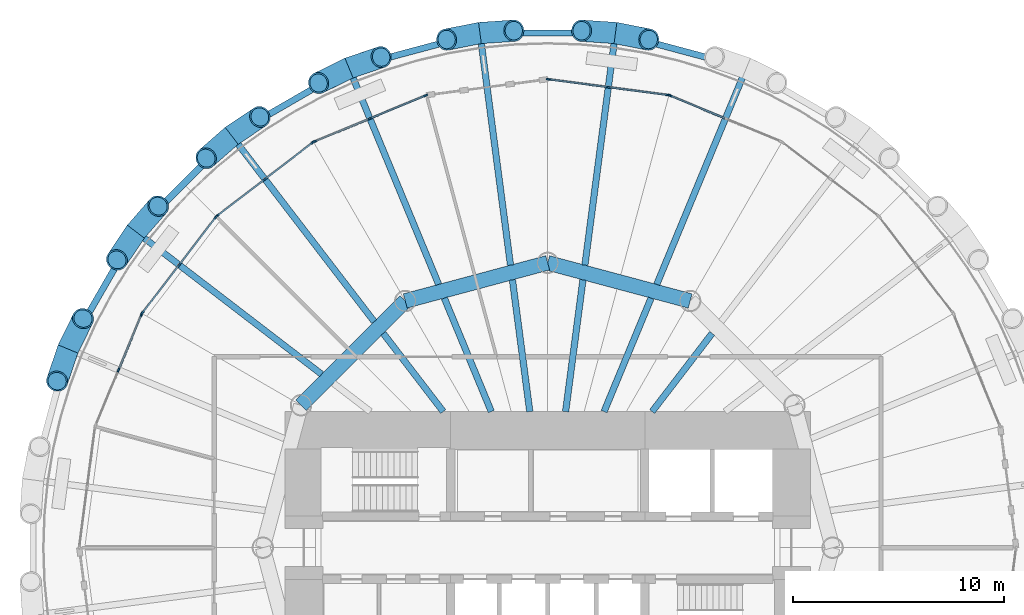
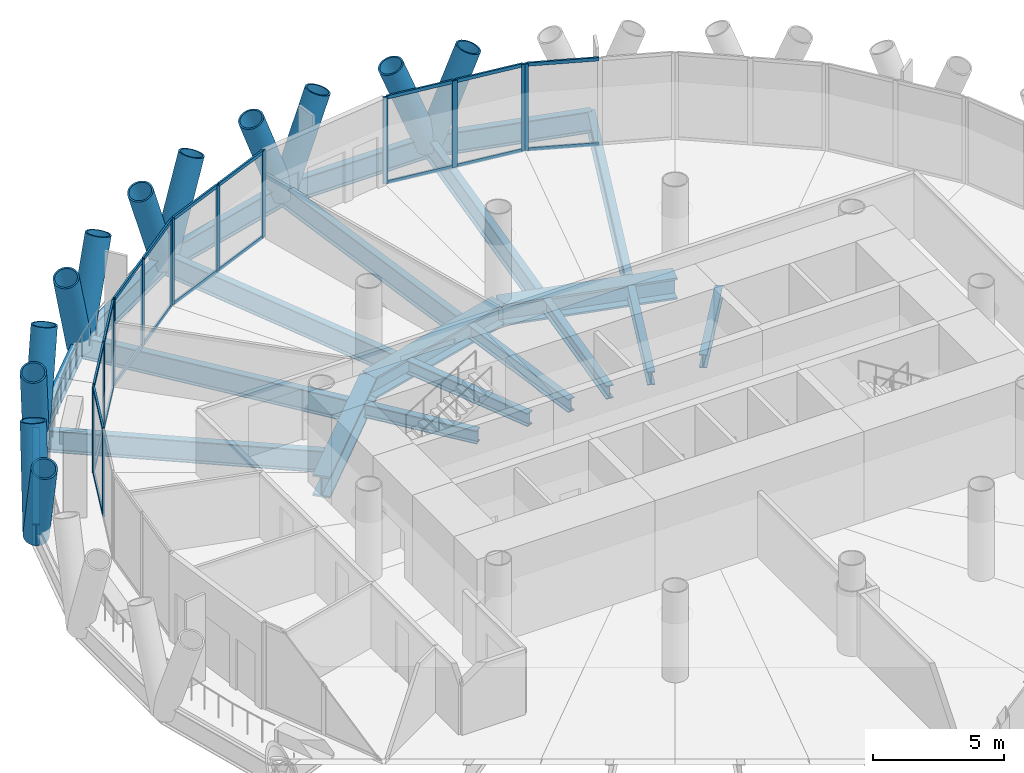
# One storey, part 5 of 14: 47 members, 21 beams, 6 elements without a shape of their own.
"""IFC4 building model written with IfcOpenShell, lengths in metres."""

import ifcopenshell
import ifcopenshell.guid

model = None  # the IFC model being written
_history = None  # IfcOwnerHistory: only IFC2X3 demands one
_inside = {}  # id of a spatial element -> (the spatial element, [elements in it])
_under = {}  # id of a project, library or spatial element -> (it, [spatial elements below it])
_declared = {}  # id of a project -> (the project, [libraries it declares])
_typed = {}  # id of a type object -> (the type object, [elements of that type])
_made_of = {}  # id of a material, layer set ... -> (it, [elements and type objects made of it])


def new_model(schema):
    """Start an empty IFC model of exactly this schema.

    Asked for "IFC4X3", IfcOpenShell would pick the latest addendum, in which some entities
    have other attributes; the version numbers below select the first issue.
    IFC2X3 requires an IfcOwnerHistory on every rooted entity: one is made here for all.
    """
    global model, _history
    if schema == "IFC4X3":
        model = ifcopenshell.file(schema_version=(4, 3, 0, 0))
    else:
        model = ifcopenshell.file(schema=schema)
    _inside.clear()
    _under.clear()
    _declared.clear()
    _typed.clear()
    _made_of.clear()
    _history = None
    if model.schema == "IFC2X3":
        org = make("IfcOrganization", Name="unknown")
        user = make(
            "IfcPersonAndOrganization",
            ThePerson=make("IfcPerson", FamilyName="unknown"),
            TheOrganization=org,
        )
        app = make(
            "IfcApplication",
            ApplicationDeveloper=org,
            Version="unknown",
            ApplicationFullName="unknown",
            ApplicationIdentifier="unknown",
        )
        _history = make(
            "IfcOwnerHistory",
            OwningUser=user,
            OwningApplication=app,
            ChangeAction="ADDED",
            CreationDate=0,
        )
    return model


def make(cls, **values):
    """One entity of the class cls with the attributes given. An attribute that is None is left unset."""
    return model.create_entity(
        cls, **{name: value for name, value in values.items() if value is not None}
    )


def rooted(cls, **values):
    """An entity with a GlobalId (a new one), such as an element, a storey or a relation."""
    return make(cls, GlobalId=ifcopenshell.guid.new(), OwnerHistory=_history, **values)


def si_unit(unit_type, name, prefix=None):
    """IfcSIUnit, for example si_unit("LENGTHUNIT", "METRE", prefix="MILLI")."""
    return make("IfcSIUnit", UnitType=unit_type, Prefix=prefix, Name=name)


def assignment(units):
    """IfcUnitAssignment: the units of a project."""
    return None if units is None else make("IfcUnitAssignment", Units=units)


def point(xyz):
    """IfcCartesianPoint."""
    return None if xyz is None else make("IfcCartesianPoint", Coordinates=xyz)


def direction(xyz):
    """IfcDirection."""
    return None if xyz is None else make("IfcDirection", DirectionRatios=xyz)


def frame(location, z_axis=None, x_axis=None):
    """IfcAxis2Placement3D, a coordinate frame: its origin and axes. An axis left out is left unset."""
    return make(
        "IfcAxis2Placement3D",
        Location=point(location),
        Axis=direction(z_axis),
        RefDirection=direction(x_axis),
    )


def frame_2d(location, x_axis=None):
    """IfcAxis2Placement2D, a coordinate frame in the plane: its origin and x axis."""
    return make(
        "IfcAxis2Placement2D", Location=point(location), RefDirection=direction(x_axis)
    )


def origin():
    """The frame at (0, 0, 0) with its axes left unset."""
    return frame((0.0, 0.0, 0.0))


def origin_2d():
    """The frame at (0, 0) in the plane with its x axis left unset."""
    return frame_2d((0.0, 0.0))


def place(relative_to, where):
    """IfcLocalPlacement: puts the frame where relative to a parent placement (None: the world)."""
    return make(
        "IfcLocalPlacement", PlacementRelTo=relative_to, RelativePlacement=where
    )


def context(
    kind, dimensions, precision=None, world=None, true_north=None, identifier=None
):
    """IfcGeometricRepresentationContext, for example the 3D "Model" context."""
    return make(
        "IfcGeometricRepresentationContext",
        ContextIdentifier=identifier,
        ContextType=kind,
        CoordinateSpaceDimension=dimensions,
        Precision=precision,
        WorldCoordinateSystem=world,
        TrueNorth=true_north,
    )


def subcontext(parent, identifier, kind, view, scale=None):
    """IfcGeometricRepresentationSubContext, for example "Body" below "Model"."""
    return make(
        "IfcGeometricRepresentationSubContext",
        ContextIdentifier=identifier,
        ContextType=kind,
        ParentContext=parent,
        TargetScale=scale,
        TargetView=view,
    )


def project(units=None, contexts=None):
    """IfcProject with its units and contexts."""
    return rooted(
        "IfcProject",
        Name="project",
        RepresentationContexts=contexts,
        UnitsInContext=assignment(units),
    )


def spatial(cls, under=None, at=None, **own):
    """A site, building, storey or space (cls), placed at a placement, below another one or the project."""
    s = rooted(cls, ObjectPlacement=at, **own)
    if under is not None:
        _under.setdefault(under.id(), (under, []))[1].append(s)
    return s


def profile(cls, at=None, kind="AREA", **sizes):
    """A parametric profile (cls). Its sizes go by their IFC names, for example OverallWidth=200.0."""
    return make(cls, ProfileType=kind, Position=at, **sizes)


def rectangle(**sizes):
    """IfcRectangleProfileDef."""
    return profile("IfcRectangleProfileDef", **sizes)


def hollow_circle(**sizes):
    """IfcCircleHollowProfileDef."""
    return profile("IfcCircleHollowProfileDef", **sizes)


def i_section(**sizes):
    """IfcIShapeProfileDef."""
    return profile("IfcIShapeProfileDef", **sizes)


def extrude(swept, where, along, depth):
    """IfcExtrudedAreaSolid: the profile swept, set in the frame where, extruded along a direction by depth."""
    return make(
        "IfcExtrudedAreaSolid",
        SweptArea=swept,
        Position=where,
        ExtrudedDirection=direction(along),
        Depth=depth,
    )


def shape(context_of_items, identifier, shape_type, items):
    """IfcShapeRepresentation: the items that make up one representation, for example the "Body"."""
    return make(
        "IfcShapeRepresentation",
        ContextOfItems=context_of_items,
        RepresentationIdentifier=identifier,
        RepresentationType=shape_type,
        Items=items,
    )


def material(Name=None, Category=None):
    """IfcMaterial."""
    return make("IfcMaterial", Name=Name, Category=Category)


def material_profile(
    of_material, cross_section, Name=None, Category=None, Priority=None
):
    """IfcMaterialProfile: a cross section and its material."""
    return make(
        "IfcMaterialProfile",
        Name=Name,
        Material=of_material,
        Profile=cross_section,
        Priority=Priority,
        Category=Category,
    )


def profile_set(profiles, Name=None, composite=None):
    """IfcMaterialProfileSet."""
    return make(
        "IfcMaterialProfileSet",
        Name=Name,
        MaterialProfiles=profiles,
        CompositeProfile=composite,
    )


def made_of(thing, what):
    """Note that an element or type object is made of a material, layer set ...; save() writes the relation."""
    if what is not None:
        _made_of.setdefault(what.id(), (what, []))[1].append(thing)
    return thing


def type_object(cls, material=None, **own):
    """A type object (cls), such as IfcWallType, which elements share."""
    return made_of(rooted(cls, **own), material)


def element(
    cls,
    number,
    at=None,
    inside=None,
    cuts=None,
    type_object=None,
    material=None,
    context=None,
    identifier="Body",
    shape_type=None,
    held_by="IfcProductDefinitionShape",
    body=None,
    shapes=None,
    **own,
):
    """One element of the class cls, such as IfcWall. Its Tag is "e" and its number.

    at: its placement. inside: the storey or other place that contains it. cuts: it is an
    opening in that element (IfcRelVoidsElement). A single representation is given by context,
    identifier, shape_type and body (its items); several are given by shapes. held_by: the class
    of the entity that holds the representations. save() writes the other relations.
    """
    e = rooted(cls, Tag="e%d" % number, ObjectPlacement=at, **own)
    if body is not None:
        shapes = [shape(context, identifier, shape_type, body)]
    if shapes is not None:
        e.Representation = make(held_by, Representations=shapes)
    if inside is not None:
        _inside.setdefault(inside.id(), (inside, []))[1].append(e)
    if cuts is not None:
        rooted(
            "IfcRelVoidsElement", RelatingBuildingElement=cuts, RelatedOpeningElement=e
        )
    if type_object is not None:
        _typed.setdefault(type_object.id(), (type_object, []))[1].append(e)
    return made_of(e, material)


def aggregate(whole, parts):
    """IfcRelAggregates: a whole, such as a stair, and the parts it consists of."""
    return rooted("IfcRelAggregates", RelatingObject=whole, RelatedObjects=parts)


def save(model, path):
    """Write the relations noted so far, then the file.

    IfcRelAggregates (storeys below a building ...), IfcRelContainedInSpatialStructure (elements
    in a storey), IfcRelDefinesByType, IfcRelAssociatesMaterial and IfcRelDeclares: one each for
    every whole, place, type object, material and project.
    """
    for whole, parts in _under.values():
        aggregate(whole, parts)
    for where, things in _inside.values():
        rooted(
            "IfcRelContainedInSpatialStructure",
            RelatedElements=things,
            RelatingStructure=where,
        )
    for kind, things in _typed.values():
        rooted("IfcRelDefinesByType", RelatedObjects=things, RelatingType=kind)
    for what, things in _made_of.values():
        rooted("IfcRelAssociatesMaterial", RelatedObjects=things, RelatingMaterial=what)
    for by, libraries in _declared.values():
        rooted("IfcRelDeclares", RelatingContext=by, RelatedDefinitions=libraries)
    model.write(path)


model = new_model("IFC4")

# Units and contexts
model_context = context("Model", 3, precision=1e-05, world=origin(), true_north=direction((0.0, 1.0)))
body_context = subcontext(model_context, "Body", "Model", "MODEL_VIEW")
ifc_project = project(units=[si_unit("LENGTHUNIT", "METRE"), si_unit("AREAUNIT", "SQUARE_METRE"), si_unit("VOLUMEUNIT", "CUBIC_METRE"), si_unit("PLANEANGLEUNIT", "RADIAN"), si_unit("MASSUNIT", "GRAM", prefix="KILO")], contexts=[model_context])

# Site, building, storey
site_placement = place(None, origin())
site = spatial("IfcSite", under=ifc_project, at=site_placement, CompositionType="ELEMENT")
building_placement = place(site_placement, origin())
building = spatial("IfcBuilding", under=site, at=building_placement, Name="Qaws Media Tower", CompositionType="ELEMENT")
storey_placement = place(building_placement, frame((0.0, 0.0, 168.800048828125)))
storey = spatial("IfcBuildingStorey", under=building, at=storey_placement, Name="L38", CompositionType="ELEMENT", Elevation=168.800048828125)

# Curtain wall, member
ifc_material_1 = material(Name="Aluminium and clear glass", Category="aluminium")
curtain_wall_type = type_object("IfcCurtainWallType", Name="Unitised curtain wall CW-B", PredefinedType="NOTDEFINED", material=ifc_material_1)
curtain_wall_1_placement = place(storey_placement, origin())
curtain_wall_1 = element("IfcCurtainWall", 1, at=curtain_wall_1_placement, inside=storey, type_object=curtain_wall_type, Name="CWB curtain wall L38-05", PredefinedType="NOTDEFINED")
ifc_material_2 = material(Name="Aluminium mullion", Category="aluminium")
ifc_material_profile_1 = material_profile(ifc_material_2, rectangle(XDim=0.080078125, YDim=0.199951171875, at=origin_2d()), Name="80x200")
ifc_profile_set_1 = profile_set([ifc_material_profile_1], Name="Aluminium mullion")
member_type_1 = type_object("IfcMemberType", Name="Curtain wall mullion 80x200", PredefinedType="MULLION", material=ifc_profile_set_1)
member_1_placement = place(storey_placement, frame((65.78271484375, 71.42822265625, 0.0), z_axis=(0.0, 0.0, 1.0), x_axis=(-0.382683388586, -0.923879550645, 0.0)))
member_1 = element("IfcMember", 2, at=member_1_placement, type_object=member_type_1, Name="CWB mullion 3", PredefinedType="MULLION", context=body_context, shape_type="SweptSolid", body=[
    extrude(rectangle(XDim=0.080078125, YDim=0.199951171875, at=origin_2d()), origin(), (0.0, 0.0, 1.0), 4.0400390625),
])

# Curtain wall, members
curtain_wall_2_placement = place(storey_placement, origin())
curtain_wall_2 = element("IfcCurtainWall", 3, at=curtain_wall_2_placement, inside=storey, type_object=curtain_wall_type, Name="CWB curtain wall L38-06", PredefinedType="NOTDEFINED")
member_2_placement = place(storey_placement, frame((65.7060546875, 71.44873046875, 0.0), z_axis=(0.0, 0.0, 1.0), x_axis=(-0.13052624607, -0.991444854284, 0.0)))
member_2 = element("IfcMember", 4, at=member_2_placement, type_object=member_type_1, Name="CWB mullion 1", PredefinedType="MULLION", context=body_context, shape_type="SweptSolid", body=[
    extrude(rectangle(XDim=0.080078125, YDim=0.199951171875, at=origin_2d()), origin(), (0.0, 0.0, 1.0), 4.0400390625),
])
member_3_placement = place(storey_placement, frame((62.872802734375, 71.82177734375, 0.0), z_axis=(0.0, 0.0, 1.0), x_axis=(-0.13052624607, -0.991444854284, 0.0)))
member_3 = element("IfcMember", 5, at=member_3_placement, type_object=member_type_1, Name="CWB mullion 2", PredefinedType="MULLION", context=body_context, shape_type="SweptSolid", body=[
    extrude(rectangle(XDim=0.080078125, YDim=0.199951171875, at=origin_2d()), origin(), (0.0, 0.0, 1.0), 4.0400390625),
])
member_4_placement = place(storey_placement, frame((60.03955078125, 72.19482421875, 0.0), z_axis=(0.0, 0.0, 1.0), x_axis=(-0.13052624607, -0.991444854284, 0.0)))
member_4 = element("IfcMember", 6, at=member_4_placement, type_object=member_type_1, Name="CWB mullion 3", PredefinedType="MULLION", context=body_context, shape_type="SweptSolid", body=[
    extrude(rectangle(XDim=0.080078125, YDim=0.199951171875, at=origin_2d()), origin(), (0.0, 0.0, 1.0), 4.0400390625),
])

curtain_wall_3_placement = place(storey_placement, origin())
curtain_wall_3 = element("IfcCurtainWall", 7, at=curtain_wall_3_placement, inside=storey, type_object=curtain_wall_type, Name="CWB curtain wall L38-08", PredefinedType="NOTDEFINED")
member_5_placement = place(storey_placement, frame((54.21728515625, 71.42822265625, 0.0), z_axis=(0.0, 0.0, 1.0), x_axis=(0.382683388586, -0.923879550645, 0.0)))
member_5 = element("IfcMember", 8, at=member_5_placement, type_object=member_type_1, Name="CWB mullion 1", PredefinedType="MULLION", context=body_context, shape_type="SweptSolid", body=[
    extrude(rectangle(XDim=0.080078125, YDim=0.199951171875, at=origin_2d()), origin(), (0.0, 0.0, 1.0), 4.0400390625),
])
member_6_placement = place(storey_placement, frame((51.5771484375, 70.334716796875, 0.0), z_axis=(0.0, 0.0, 1.0), x_axis=(0.382683388586, -0.923879550645, 0.0)))
member_6 = element("IfcMember", 9, at=member_6_placement, type_object=member_type_1, Name="CWB mullion 2", PredefinedType="MULLION", context=body_context, shape_type="SweptSolid", body=[
    extrude(rectangle(XDim=0.080078125, YDim=0.199951171875, at=origin_2d()), origin(), (0.0, 0.0, 1.0), 4.0400390625),
])
member_7_placement = place(storey_placement, frame((48.93701171875, 69.240966796875, 0.0), z_axis=(0.0, 0.0, 1.0), x_axis=(0.382683388586, -0.923879550645, 0.0)))
member_7 = element("IfcMember", 10, at=member_7_placement, type_object=member_type_1, Name="CWB mullion 3", PredefinedType="MULLION", context=body_context, shape_type="SweptSolid", body=[
    extrude(rectangle(XDim=0.080078125, YDim=0.199951171875, at=origin_2d()), origin(), (0.0, 0.0, 1.0), 4.0400390625),
])

curtain_wall_4_placement = place(storey_placement, origin())
curtain_wall_4 = element("IfcCurtainWall", 11, at=curtain_wall_4_placement, inside=storey, type_object=curtain_wall_type, Name="CWB curtain wall L38-09", PredefinedType="NOTDEFINED")
member_8_placement = place(storey_placement, frame((48.8681640625, 69.201416015625, 0.0), z_axis=(0.0, 0.0, 1.0), x_axis=(0.60876134507, -0.793353404699, 0.0)))
member_8 = element("IfcMember", 12, at=member_8_placement, type_object=member_type_1, Name="CWB mullion 1", PredefinedType="MULLION", context=body_context, shape_type="SweptSolid", body=[
    extrude(rectangle(XDim=0.080078125, YDim=0.199951171875, at=origin_2d()), origin(), (0.0, 0.0, 1.0), 4.0400390625),
])
member_9_placement = place(storey_placement, frame((46.60107421875, 67.461669921875, 0.0), z_axis=(0.0, 0.0, 1.0), x_axis=(0.60876134507, -0.793353404699, 0.0)))
member_9 = element("IfcMember", 13, at=member_9_placement, type_object=member_type_1, Name="CWB mullion 2", PredefinedType="MULLION", context=body_context, shape_type="SweptSolid", body=[
    extrude(rectangle(XDim=0.080078125, YDim=0.199951171875, at=origin_2d()), origin(), (0.0, 0.0, 1.0), 4.0400390625),
])
member_10_placement = place(storey_placement, frame((44.333984375, 65.72216796875, 0.0), z_axis=(0.0, 0.0, 1.0), x_axis=(0.60876134507, -0.793353404699, 0.0)))
member_10 = element("IfcMember", 14, at=member_10_placement, type_object=member_type_1, Name="CWB mullion 3", PredefinedType="MULLION", context=body_context, shape_type="SweptSolid", body=[
    extrude(rectangle(XDim=0.080078125, YDim=0.199951171875, at=origin_2d()), origin(), (0.0, 0.0, 1.0), 4.0400390625),
])

curtain_wall_5_placement = place(storey_placement, origin())
curtain_wall_5 = element("IfcCurtainWall", 15, at=curtain_wall_5_placement, inside=storey, type_object=curtain_wall_type, Name="CWB curtain wall L38-10", PredefinedType="NOTDEFINED")
member_11_placement = place(storey_placement, frame((44.27783203125, 65.666015625, 0.0), z_axis=(0.0, 0.0, 1.0), x_axis=(0.793353404699, -0.60876134507, 0.0)))
member_11 = element("IfcMember", 16, at=member_11_placement, type_object=member_type_1, Name="CWB mullion 1", PredefinedType="MULLION", context=body_context, shape_type="SweptSolid", body=[
    extrude(rectangle(XDim=0.080078125, YDim=0.199951171875, at=origin_2d()), origin(), (0.0, 0.0, 1.0), 4.0400390625),
])
member_12_placement = place(storey_placement, frame((42.538330078125, 63.39892578125, 0.0), z_axis=(0.0, 0.0, 1.0), x_axis=(0.793353404699, -0.60876134507, 0.0)))
member_12 = element("IfcMember", 17, at=member_12_placement, type_object=member_type_1, Name="CWB mullion 2", PredefinedType="MULLION", context=body_context, shape_type="SweptSolid", body=[
    extrude(rectangle(XDim=0.080078125, YDim=0.199951171875, at=origin_2d()), origin(), (0.0, 0.0, 1.0), 4.0400390625),
])
member_13_placement = place(storey_placement, frame((40.798583984375, 61.1318359375, 0.0), z_axis=(0.0, 0.0, 1.0), x_axis=(0.793353404699, -0.60876134507, 0.0)))
member_13 = element("IfcMember", 18, at=member_13_placement, type_object=member_type_1, Name="CWB mullion 3", PredefinedType="MULLION", context=body_context, shape_type="SweptSolid", body=[
    extrude(rectangle(XDim=0.080078125, YDim=0.199951171875, at=origin_2d()), origin(), (0.0, 0.0, 1.0), 4.0400390625),
])

curtain_wall_6_placement = place(storey_placement, origin())
curtain_wall_6 = element("IfcCurtainWall", 19, at=curtain_wall_6_placement, inside=storey, type_object=curtain_wall_type, Name="CWB curtain wall L38-11", PredefinedType="NOTDEFINED")
member_14_placement = place(storey_placement, frame((40.759033203125, 61.06298828125, 0.0), z_axis=(0.0, 0.0, 1.0), x_axis=(0.923879550645, -0.382683388586, 0.0)))
member_14 = element("IfcMember", 20, at=member_14_placement, type_object=member_type_1, Name="CWB mullion 1", PredefinedType="MULLION", context=body_context, shape_type="SweptSolid", body=[
    extrude(rectangle(XDim=0.080078125, YDim=0.199951171875, at=origin_2d()), origin(), (0.0, 0.0, 1.0), 4.0400390625),
])
member_15_placement = place(storey_placement, frame((39.665283203125, 58.4228515625, 0.0), z_axis=(0.0, 0.0, 1.0), x_axis=(0.923879550645, -0.382683388586, 0.0)))
member_15 = element("IfcMember", 21, at=member_15_placement, type_object=member_type_1, Name="CWB mullion 2", PredefinedType="MULLION", context=body_context, shape_type="SweptSolid", body=[
    extrude(rectangle(XDim=0.080078125, YDim=0.199951171875, at=origin_2d()), origin(), (0.0, 0.0, 1.0), 4.0400390625),
])

# Member
ifc_material_3 = material(Name="Aluminium transom", Category="aluminium")
ifc_material_profile_2 = material_profile(ifc_material_3, rectangle(XDim=0.080078125, YDim=0.159912109375, at=origin_2d()), Name="80x160")
ifc_profile_set_2 = profile_set([ifc_material_profile_2], Name="Aluminium transom")
member_type_2 = type_object("IfcMemberType", Name="Curtain wall transom 80x160", PredefinedType="USERDEFINED", material=ifc_profile_set_2)
member_16_placement = place(storey_placement, frame((68.385986328125, 70.349853515625, 0.0400390625), z_axis=(-0.923886149992, 0.382667455962, 0.0), x_axis=(-0.382667455962, -0.923886149992, 0.0)))
member_16 = element("IfcMember", 22, at=member_16_placement, type_object=member_type_2, Name="CWB transom 2.1", ObjectType="TRANSOM", PredefinedType="USERDEFINED", context=body_context, shape_type="SweptSolid", body=[
    extrude(rectangle(XDim=0.080078125, YDim=0.159912109375, at=origin_2d()), origin(), (0.0, 0.0, 1.0), 2.77783203125),
])

member_17_placement = place(storey_placement, frame((68.385986328125, 70.349853515625, 4.0), z_axis=(-0.923886149992, 0.382667455962, 0.0), x_axis=(-0.382667455962, -0.923886149992, 0.0)))
member_17 = element("IfcMember", 23, at=member_17_placement, type_object=member_type_2, Name="CWB transom 2.2", ObjectType="TRANSOM", PredefinedType="USERDEFINED", context=body_context, shape_type="SweptSolid", body=[
    extrude(rectangle(XDim=0.080078125, YDim=0.159912109375, at=origin_2d()), origin(), (0.0, 0.0, 1.0), 2.77783203125),
])

aggregate(curtain_wall_1, [member_1, member_16, member_17])

member_18_placement = place(storey_placement, frame((65.66650390625, 71.4541015625, 0.0400390625), z_axis=(-0.991445318306, 0.130522721426, 0.0), x_axis=(-0.130522721426, -0.991445318306, 0.0)))
member_18 = element("IfcMember", 24, at=member_18_placement, type_object=member_type_2, Name="CWB transom 1.1", ObjectType="TRANSOM", PredefinedType="USERDEFINED", context=body_context, shape_type="SweptSolid", body=[
    extrude(rectangle(XDim=0.080078125, YDim=0.159912109375, at=origin_2d()), origin(), (0.0, 0.0, 1.0), 2.777587890625),
])

member_19_placement = place(storey_placement, frame((65.66650390625, 71.4541015625, 4.0), z_axis=(-0.991445318306, 0.130522721426, 0.0), x_axis=(-0.130522721426, -0.991445318306, 0.0)))
member_19 = element("IfcMember", 25, at=member_19_placement, type_object=member_type_2, Name="CWB transom 1.2", ObjectType="TRANSOM", PredefinedType="USERDEFINED", context=body_context, shape_type="SweptSolid", body=[
    extrude(rectangle(XDim=0.080078125, YDim=0.159912109375, at=origin_2d()), origin(), (0.0, 0.0, 1.0), 2.777587890625),
])

member_20_placement = place(storey_placement, frame((62.833251953125, 71.826904296875, 0.0400390625), z_axis=(-0.991445318306, 0.130522721426, 0.0), x_axis=(-0.130522721426, -0.991445318306, 0.0)))
member_20 = element("IfcMember", 26, at=member_20_placement, type_object=member_type_2, Name="CWB transom 2.1", ObjectType="TRANSOM", PredefinedType="USERDEFINED", context=body_context, shape_type="SweptSolid", body=[
    extrude(rectangle(XDim=0.080078125, YDim=0.159912109375, at=origin_2d()), origin(), (0.0, 0.0, 1.0), 2.777587890625),
])

member_21_placement = place(storey_placement, frame((62.833251953125, 71.826904296875, 4.0), z_axis=(-0.991445318306, 0.130522721426, 0.0), x_axis=(-0.130522721426, -0.991445318306, 0.0)))
member_21 = element("IfcMember", 27, at=member_21_placement, type_object=member_type_2, Name="CWB transom 2.2", ObjectType="TRANSOM", PredefinedType="USERDEFINED", context=body_context, shape_type="SweptSolid", body=[
    extrude(rectangle(XDim=0.080078125, YDim=0.159912109375, at=origin_2d()), origin(), (0.0, 0.0, 1.0), 2.777587890625),
])

aggregate(curtain_wall_2, [member_2, member_3, member_4, member_18, member_19, member_20, member_21])

member_22_placement = place(storey_placement, frame((54.180419921875, 71.412841796875, 0.0400390625), z_axis=(-0.923886149992, -0.382667455962, 0.0), x_axis=(0.382667455962, -0.923886149992, 0.0)))
member_22 = element("IfcMember", 28, at=member_22_placement, type_object=member_type_2, Name="CWB transom 1.1", ObjectType="TRANSOM", PredefinedType="USERDEFINED", context=body_context, shape_type="SweptSolid", body=[
    extrude(rectangle(XDim=0.080078125, YDim=0.159912109375, at=origin_2d()), origin(), (0.0, 0.0, 1.0), 2.77783203125),
])

member_23_placement = place(storey_placement, frame((54.180419921875, 71.412841796875, 4.0), z_axis=(-0.923886149992, -0.382667455962, 0.0), x_axis=(0.382667455962, -0.923886149992, 0.0)))
member_23 = element("IfcMember", 29, at=member_23_placement, type_object=member_type_2, Name="CWB transom 1.2", ObjectType="TRANSOM", PredefinedType="USERDEFINED", context=body_context, shape_type="SweptSolid", body=[
    extrude(rectangle(XDim=0.080078125, YDim=0.159912109375, at=origin_2d()), origin(), (0.0, 0.0, 1.0), 2.77783203125),
])

member_24_placement = place(storey_placement, frame((51.5400390625, 70.3193359375, 0.0400390625), z_axis=(-0.923873278495, -0.382698530546, 0.0), x_axis=(0.382698530546, -0.923873278495, 0.0)))
member_24 = element("IfcMember", 30, at=member_24_placement, type_object=member_type_2, Name="CWB transom 2.1", ObjectType="TRANSOM", PredefinedType="USERDEFINED", context=body_context, shape_type="SweptSolid", body=[
    extrude(rectangle(XDim=0.080078125, YDim=0.159912109375, at=origin_2d()), origin(), (0.0, 0.0, 1.0), 2.777587890625),
])

member_25_placement = place(storey_placement, frame((51.5400390625, 70.3193359375, 4.0), z_axis=(-0.923873278495, -0.382698530546, 0.0), x_axis=(0.382698530546, -0.923873278495, 0.0)))
member_25 = element("IfcMember", 31, at=member_25_placement, type_object=member_type_2, Name="CWB transom 2.2", ObjectType="TRANSOM", PredefinedType="USERDEFINED", context=body_context, shape_type="SweptSolid", body=[
    extrude(rectangle(XDim=0.080078125, YDim=0.159912109375, at=origin_2d()), origin(), (0.0, 0.0, 1.0), 2.777587890625),
])

aggregate(curtain_wall_3, [member_5, member_6, member_7, member_22, member_23, member_24, member_25])

member_26_placement = place(storey_placement, frame((48.83642578125, 69.177001953125, 0.0400390625), z_axis=(-0.793348814772, -0.608767326735, 0.0), x_axis=(0.608767326735, -0.793348814772, 0.0)))
member_26 = element("IfcMember", 32, at=member_26_placement, type_object=member_type_2, Name="CWB transom 1.1", ObjectType="TRANSOM", PredefinedType="USERDEFINED", context=body_context, shape_type="SweptSolid", body=[
    extrude(rectangle(XDim=0.080078125, YDim=0.159912109375, at=origin_2d()), origin(), (0.0, 0.0, 1.0), 2.777587890625),
])

member_27_placement = place(storey_placement, frame((48.83642578125, 69.177001953125, 4.0), z_axis=(-0.793348814772, -0.608767326735, 0.0), x_axis=(0.608767326735, -0.793348814772, 0.0)))
member_27 = element("IfcMember", 33, at=member_27_placement, type_object=member_type_2, Name="CWB transom 1.2", ObjectType="TRANSOM", PredefinedType="USERDEFINED", context=body_context, shape_type="SweptSolid", body=[
    extrude(rectangle(XDim=0.080078125, YDim=0.159912109375, at=origin_2d()), origin(), (0.0, 0.0, 1.0), 2.777587890625),
])

member_28_placement = place(storey_placement, frame((46.5693359375, 67.4375, 0.0400390625), z_axis=(-0.793348814772, -0.608767326735, 0.0), x_axis=(0.608767326735, -0.793348814772, 0.0)))
member_28 = element("IfcMember", 34, at=member_28_placement, type_object=member_type_2, Name="CWB transom 2.1", ObjectType="TRANSOM", PredefinedType="USERDEFINED", context=body_context, shape_type="SweptSolid", body=[
    extrude(rectangle(XDim=0.080078125, YDim=0.159912109375, at=origin_2d()), origin(), (0.0, 0.0, 1.0), 2.777587890625),
])

member_29_placement = place(storey_placement, frame((46.5693359375, 67.4375, 4.0), z_axis=(-0.793348814772, -0.608767326735, 0.0), x_axis=(0.608767326735, -0.793348814772, 0.0)))
member_29 = element("IfcMember", 35, at=member_29_placement, type_object=member_type_2, Name="CWB transom 2.2", ObjectType="TRANSOM", PredefinedType="USERDEFINED", context=body_context, shape_type="SweptSolid", body=[
    extrude(rectangle(XDim=0.080078125, YDim=0.159912109375, at=origin_2d()), origin(), (0.0, 0.0, 1.0), 2.777587890625),
])

aggregate(curtain_wall_4, [member_8, member_9, member_10, member_26, member_27, member_28, member_29])

member_30_placement = place(storey_placement, frame((44.25341796875, 65.63427734375, 0.0400390625), z_axis=(-0.608767326735, -0.793348814772, 0.0), x_axis=(0.793348814772, -0.608767326735, 0.0)))
member_30 = element("IfcMember", 36, at=member_30_placement, type_object=member_type_2, Name="CWB transom 1.1", ObjectType="TRANSOM", PredefinedType="USERDEFINED", context=body_context, shape_type="SweptSolid", body=[
    extrude(rectangle(XDim=0.080078125, YDim=0.159912109375, at=origin_2d()), origin(), (0.0, 0.0, 1.0), 2.777587890625),
])

member_31_placement = place(storey_placement, frame((44.25341796875, 65.63427734375, 4.0), z_axis=(-0.608767326735, -0.793348814772, 0.0), x_axis=(0.793348814772, -0.608767326735, 0.0)))
member_31 = element("IfcMember", 37, at=member_31_placement, type_object=member_type_2, Name="CWB transom 1.2", ObjectType="TRANSOM", PredefinedType="USERDEFINED", context=body_context, shape_type="SweptSolid", body=[
    extrude(rectangle(XDim=0.080078125, YDim=0.159912109375, at=origin_2d()), origin(), (0.0, 0.0, 1.0), 2.777587890625),
])

member_32_placement = place(storey_placement, frame((42.513916015625, 63.3671875, 0.0400390625), z_axis=(-0.608767326735, -0.793348814772, 0.0), x_axis=(0.793348814772, -0.608767326735, 0.0)))
member_32 = element("IfcMember", 38, at=member_32_placement, type_object=member_type_2, Name="CWB transom 2.1", ObjectType="TRANSOM", PredefinedType="USERDEFINED", context=body_context, shape_type="SweptSolid", body=[
    extrude(rectangle(XDim=0.080078125, YDim=0.159912109375, at=origin_2d()), origin(), (0.0, 0.0, 1.0), 2.777587890625),
])

member_33_placement = place(storey_placement, frame((42.513916015625, 63.3671875, 4.0), z_axis=(-0.608767326735, -0.793348814772, 0.0), x_axis=(0.793348814772, -0.608767326735, 0.0)))
member_33 = element("IfcMember", 39, at=member_33_placement, type_object=member_type_2, Name="CWB transom 2.2", ObjectType="TRANSOM", PredefinedType="USERDEFINED", context=body_context, shape_type="SweptSolid", body=[
    extrude(rectangle(XDim=0.080078125, YDim=0.159912109375, at=origin_2d()), origin(), (0.0, 0.0, 1.0), 2.777587890625),
])

aggregate(curtain_wall_5, [member_11, member_12, member_13, member_30, member_31, member_32, member_33])

member_34_placement = place(storey_placement, frame((40.74365234375, 61.026123046875, 0.0400390625), z_axis=(-0.382698530546, -0.923873278495, 0.0), x_axis=(0.923873278495, -0.382698530546, 0.0)))
member_34 = element("IfcMember", 40, at=member_34_placement, type_object=member_type_2, Name="CWB transom 1.1", ObjectType="TRANSOM", PredefinedType="USERDEFINED", context=body_context, shape_type="SweptSolid", body=[
    extrude(rectangle(XDim=0.080078125, YDim=0.159912109375, at=origin_2d()), origin(), (0.0, 0.0, 1.0), 2.777587890625),
])

member_35_placement = place(storey_placement, frame((40.74365234375, 61.026123046875, 4.0), z_axis=(-0.382698530546, -0.923873278495, 0.0), x_axis=(0.923873278495, -0.382698530546, 0.0)))
member_35 = element("IfcMember", 41, at=member_35_placement, type_object=member_type_2, Name="CWB transom 1.2", ObjectType="TRANSOM", PredefinedType="USERDEFINED", context=body_context, shape_type="SweptSolid", body=[
    extrude(rectangle(XDim=0.080078125, YDim=0.159912109375, at=origin_2d()), origin(), (0.0, 0.0, 1.0), 2.777587890625),
])

aggregate(curtain_wall_6, [member_14, member_15, member_34, member_35])

# Members
ifc_material_4 = material(Name="Steel S460", Category="steel")
ifc_material_profile_3 = material_profile(ifc_material_4, hollow_circle(Radius=0.508056640625, WallThickness=0.070068359375, at=origin_2d()), Name="CHS 1016x70")
ifc_profile_set_3 = profile_set([ifc_material_profile_3], Name="Steel S460")
member_type_3 = type_object("IfcMemberType", Name="Diagrid member CHS 1016x70", PredefinedType="USERDEFINED", material=ifc_profile_set_3)
for number, where, z_axis, x_axis, name in (
    (42, (63.2109375, 74.3896484375, -0.6640625), (-0.356910681943, 0.023993083106, 0.933830336345), (-0.067072950379, -0.997748074079, 0.0), "DG3 diagrid L38 A06"),
    (43, (63.2109375, 74.3896484375, -0.6640625), (0.350989289166, -0.06920992015, 0.933818240261), (0.19346008164, 0.981108147358, 0.0), "DG3 diagrid L38 B06"),
    (44, (56.7890625, 74.3896484375, -0.6640625), (-0.350989289166, -0.06920992015, 0.933818240261), (0.19346008164, -0.981108147358, 0.0), "DG3 diagrid L38 A07"),
    (45, (56.7890625, 74.3896484375, -0.6640625), (0.356910681943, 0.023993083106, 0.933830336345), (-0.067072950379, 0.997748074079, 0.0), "DG3 diagrid L38 B07"),
    (46, (50.5859375, 72.7275390625, -0.6640625), (-0.321083782797, -0.157692035338, 0.933829977253), (0.440828812934, -0.897591197421, 0.0), "DG3 diagrid L38 A08"),
    (47, (50.5859375, 72.7275390625, -0.6640625), (0.338561751209, 0.115513773701, 0.93382680873), (-0.322911821163, 0.946429054791, 0.0), "DG3 diagrid L38 B08"),
    (48, (45.0244140625, 69.5166015625, -0.6640625), (-0.269350219792, -0.235423600007, 0.933823424239), (0.658096290163, -0.752933777217, 0.0), "DG3 diagrid L38 A09"),
    (49, (45.0244140625, 69.5166015625, -0.6640625), (0.297141784694, 0.19921635912, 0.933819898079), (-0.556869292922, 0.830600138816, 0.0), "DG3 diagrid L38 B09"),
    (50, (40.4833984375, 64.9755859375, -0.6640625), (-0.19921635912, -0.297141784694, 0.933819898079), (0.830600138816, -0.556869292922, 0.0), "DG3 diagrid L38 A10"),
    (51, (40.4833984375, 64.9755859375, -0.6640625), (0.235423600007, 0.269350219792, 0.933823424239), (-0.752933777217, 0.658096290163, 0.0), "DG3 diagrid L38 B10"),
    (52, (37.2724609375, 59.4140625, -0.6640625), (-0.115513773701, -0.338561751209, 0.93382680873), (0.946429054791, -0.322911821163, 0.0), "DG3 diagrid L38 A11"),
    (53, (37.2724609375, 59.4140625, -0.6640625), (0.157692035338, 0.321083782797, 0.933829977253), (-0.897591197421, 0.440828812934, 0.0), "DG3 diagrid L38 B11"),
):
    element("IfcMember", number, at=place(storey_placement, frame(where, z_axis=z_axis, x_axis=x_axis)), inside=storey, type_object=member_type_3, Name=name, ObjectType="DIAGRID", PredefinedType="USERDEFINED", context=body_context, shape_type="SweptSolid", body=[
        extrude(hollow_circle(Radius=0.508056640625, WallThickness=0.070068359375, at=origin_2d()), origin(), (0.0, 0.0, 1.0), 4.49755859375),
    ])

# Beams
ifc_material_5 = material(Name="Steel S460", Category="steel")
ifc_material_profile_4 = material_profile(ifc_material_5, i_section(OverallWidth=0.302001953125, OverallDepth=1.008056640625, WebThickness=0.02099609375, FlangeThickness=0.0400390625, FilletRadius=0.030029296875, at=origin_2d()), Name="HE 1000 M")
ifc_profile_set_4 = profile_set([ifc_material_profile_4], Name="Steel S460")
beam_type_1 = type_object("IfcBeamType", Name="Edge ring beam HE 1000 M", PredefinedType="BEAM", material=ifc_profile_set_4)
for number, where, z_axis, x_axis, name in (
    (54, (69.4140625, 72.7275390625, -0.6640625), (-0.96592633078, 0.258817162309, 0.0), (-0.258817162309, -0.96592633078, 0.0), "RB3 edge ring beam L38-05"),
    (55, (63.2109375, 74.3896484375, -0.6640625), (-1.0, 0.0, 0.0), (0.0, -1.0, 0.0), "RB3 edge ring beam L38-06"),
    (56, (56.7890625, 74.3896484375, -0.6640625), (-0.96592633078, -0.258817162309, 0.0), (0.258817162309, -0.96592633078, 0.0), "RB3 edge ring beam L38-07"),
    (57, (50.5859375, 72.7275390625, -0.6640625), (-0.86602604797, -0.499998884236, 0.0), (0.499998884236, -0.86602604797, 0.0), "RB3 edge ring beam L38-08"),
    (58, (45.0244140625, 69.5166015625, -0.6640625), (-0.707106781187, -0.707106781187, 0.0), (0.707106781187, -0.707106781187, 0.0), "RB3 edge ring beam L38-09"),
    (59, (40.4833984375, 64.9755859375, -0.6640625), (-0.499998884236, -0.86602604797, 0.0), (0.86602604797, -0.499998884236, 0.0), "RB3 edge ring beam L38-10"),
):
    element("IfcBeam", number, at=place(storey_placement, frame(where, z_axis=z_axis, x_axis=x_axis)), inside=storey, type_object=beam_type_1, Name=name, PredefinedType="BEAM", context=body_context, shape_type="SweptSolid", body=[
        extrude(i_section(OverallWidth=0.302001953125, OverallDepth=1.008056640625, WebThickness=0.02099609375, FlangeThickness=0.0400390625, FilletRadius=0.030029296875, at=origin_2d()), origin(), (0.0, 0.0, 1.0), 6.421875),
    ])
ifc_material_6 = material(Name="Steel S460", Category="steel")
ifc_material_profile_5 = material_profile(ifc_material_6, i_section(OverallWidth=0.699951171875, OverallDepth=1.0, WebThickness=0.034912109375, FlangeThickness=0.090087890625, at=origin_2d()), Name="PG 1000x700")
ifc_profile_set_5 = profile_set([ifc_material_profile_5], Name="Steel S460")
beam_type_2 = type_object("IfcBeamType", Name="Inner ring girder PG 1000x700", PredefinedType="BEAM", material=ifc_profile_set_5)
for number, where, z_axis, x_axis, name in (
    (60, (66.75, 61.69140625, -0.66015625), (-0.965928090778, 0.258810593767, 0.0), (-0.258810593767, -0.965928090778, 0.0), "B3 inner ring beam L38 I03-I04"),
    (61, (60.0, 63.5, -0.66015625), (-0.965928090778, -0.258810593767, 0.0), (0.258810593767, -0.965928090778, 0.0), "B3 inner ring beam L38 I04-I05"),
):
    element("IfcBeam", number, at=place(storey_placement, frame(where, z_axis=z_axis, x_axis=x_axis)), inside=storey, type_object=beam_type_2, Name=name, PredefinedType="BEAM", context=body_context, shape_type="SweptSolid", body=[
        extrude(i_section(OverallWidth=0.699951171875, OverallDepth=1.0, WebThickness=0.034912109375, FlangeThickness=0.090087890625, at=origin_2d()), origin(), (0.0, 0.0, 1.0), 6.988037109375),
    ])
beam_1_placement = place(storey_placement, frame((53.25, 61.69140625, -0.66015625), z_axis=(-0.707106781187, -0.707106781187, 0.0), x_axis=(0.707106781187, -0.707106781187, 0.0)))
element("IfcBeam", 62, at=beam_1_placement, inside=storey, type_object=beam_type_2, Name="B3 inner ring beam L38 I05-I06", PredefinedType="BEAM", context=body_context, shape_type="SweptSolid", body=[
    extrude(i_section(OverallWidth=0.699951171875, OverallDepth=1.0, WebThickness=0.034912109375, FlangeThickness=0.090087890625, at=origin_2d()), origin(), (0.0, 0.0, 1.0), 6.98828125),
])
ifc_material_7 = material(Name="Steel S355", Category="steel")
ifc_material_profile_6 = material_profile(ifc_material_7, i_section(OverallWidth=0.302001953125, OverallDepth=1.008056640625, WebThickness=0.02099609375, FlangeThickness=0.0400390625, FilletRadius=0.030029296875, at=origin_2d()), Name="HE 1000 M")
ifc_profile_set_6 = profile_set([ifc_material_profile_6], Name="Steel S355")
beam_type_3 = type_object("IfcBeamType", Name="Radial beam HE 1000 M", PredefinedType="BEAM", material=ifc_profile_set_6)
beam_2_placement = place(storey_placement, frame((65.16845703125, 62.4775390625, -0.6640625), z_axis=(0.382677004785, 0.923882194876, 0.0), x_axis=(-0.923882194876, 0.382677004785, 0.0)))
element("IfcBeam", 63, at=beam_2_placement, inside=storey, type_object=beam_type_3, Name="B1 radial beam L38 05", PredefinedType="BEAM", context=body_context, shape_type="SweptSolid", body=[
    extrude(i_section(OverallWidth=0.302001953125, OverallDepth=1.008056640625, WebThickness=0.02099609375, FlangeThickness=0.0400390625, FilletRadius=0.030029296875, at=origin_2d()), origin(), (0.0, 0.0, 1.0), 11.094482421875),
])
for number, where, z_axis, x_axis, name in (
    (64, (61.762939453125, 63.389892578125, -0.6640625), (0.13051314308, 0.991446579238, 0.0), (-0.991446579238, 0.13051314308, 0.0), "B1 radial beam L38 06"),
    (65, (58.237060546875, 63.389892578125, -0.6640625), (-0.13051314308, 0.991446579238, 0.0), (-0.991446579238, -0.13051314308, 0.0), "B1 radial beam L38 07"),
):
    element("IfcBeam", number, at=place(storey_placement, frame(where, z_axis=z_axis, x_axis=x_axis)), inside=storey, type_object=beam_type_3, Name=name, PredefinedType="BEAM", context=body_context, shape_type="SweptSolid", body=[
        extrude(i_section(OverallWidth=0.302001953125, OverallDepth=1.008056640625, WebThickness=0.02099609375, FlangeThickness=0.0400390625, FilletRadius=0.030029296875, at=origin_2d()), origin(), (0.0, 0.0, 1.0), 11.0947265625),
    ])
beam_3_placement = place(storey_placement, frame((54.83154296875, 62.4775390625, -0.6640625), z_axis=(-0.382677004785, 0.923882194876, 0.0), x_axis=(-0.923882194876, -0.382677004785, 0.0)))
element("IfcBeam", 66, at=beam_3_placement, inside=storey, type_object=beam_type_3, Name="B1 radial beam L38 08", PredefinedType="BEAM", context=body_context, shape_type="SweptSolid", body=[
    extrude(i_section(OverallWidth=0.302001953125, OverallDepth=1.008056640625, WebThickness=0.02099609375, FlangeThickness=0.0400390625, FilletRadius=0.030029296875, at=origin_2d()), origin(), (0.0, 0.0, 1.0), 11.094482421875),
])
for number, where, z_axis, x_axis, name in (
    (67, (51.7783203125, 60.714599609375, -0.6640625), (-0.60875533625, 0.793358015392, 0.0), (-0.793358015392, -0.60875533625, 0.0), "B1 radial beam L38 09"),
    (68, (49.285400390625, 58.2216796875, -0.6640625), (-0.793358015392, 0.60875533625, 0.0), (-0.60875533625, -0.793358015392, 0.0), "B1 radial beam L38 10"),
):
    element("IfcBeam", number, at=place(storey_placement, frame(where, z_axis=z_axis, x_axis=x_axis)), inside=storey, type_object=beam_type_3, Name=name, PredefinedType="BEAM", context=body_context, shape_type="SweptSolid", body=[
        extrude(i_section(OverallWidth=0.302001953125, OverallDepth=1.008056640625, WebThickness=0.02099609375, FlangeThickness=0.0400390625, FilletRadius=0.030029296875, at=origin_2d()), origin(), (0.0, 0.0, 1.0), 11.0947265625),
    ])
ifc_material_8 = material(Name="Steel S355", Category="steel")
ifc_material_profile_7 = material_profile(ifc_material_8, i_section(OverallWidth=0.304931640625, OverallDepth=0.6201171875, WebThickness=0.02099609375, FlangeThickness=0.0400390625, FilletRadius=0.027099609375, at=origin_2d()), Name="HE 600 M")
ifc_profile_set_7 = profile_set([ifc_material_profile_7], Name="Steel S355")
beam_type_4 = type_object("IfcBeamType", Name="Radial beam HE 600 M, core side", PredefinedType="BEAM", material=ifc_profile_set_7)
beam_4_placement = place(storey_placement, frame((64.94921875, 56.449951171875, -0.469970703125), z_axis=(0.608747616782, 0.793363938594, 0.0), x_axis=(-0.793363938594, 0.608747616782, 0.0)))
element("IfcBeam", 69, at=beam_4_placement, inside=storey, type_object=beam_type_4, Name="B2 radial beam L38 04", PredefinedType="BEAM", context=body_context, shape_type="SweptSolid", body=[
    extrude(i_section(OverallWidth=0.304931640625, OverallDepth=0.6201171875, WebThickness=0.02099609375, FlangeThickness=0.0400390625, FilletRadius=0.027099609375, at=origin_2d()), origin(), (0.0, 0.0, 1.0), 4.66943359375),
])
beam_5_placement = place(storey_placement, frame((62.671630859375, 56.449951171875, -0.469970703125), z_axis=(0.382692744599, 0.923875675203, 0.0), x_axis=(-0.923875675203, 0.382692744599, 0.0)))
element("IfcBeam", 70, at=beam_5_placement, inside=storey, type_object=beam_type_4, Name="B2 radial beam L38 05", PredefinedType="BEAM", context=body_context, shape_type="SweptSolid", body=[
    extrude(i_section(OverallWidth=0.304931640625, OverallDepth=0.6201171875, WebThickness=0.02099609375, FlangeThickness=0.0400390625, FilletRadius=0.027099609375, at=origin_2d()), origin(), (0.0, 0.0, 1.0), 5.818115234375),
])
for number, where, z_axis, x_axis, name in (
    (71, (60.84912109375, 56.449951171875, -0.469970703125), (0.130529769311, 0.991444390434, 0.0), (-0.991444390434, 0.130529769311, 0.0), "B2 radial beam L38 06"),
    (72, (59.15087890625, 56.449951171875, -0.469970703125), (-0.130529769311, 0.991444390434, 0.0), (-0.991444390434, -0.130529769311, 0.0), "B2 radial beam L38 07"),
):
    element("IfcBeam", number, at=place(storey_placement, frame(where, z_axis=z_axis, x_axis=x_axis)), inside=storey, type_object=beam_type_4, Name=name, PredefinedType="BEAM", context=body_context, shape_type="SweptSolid", body=[
        extrude(i_section(OverallWidth=0.304931640625, OverallDepth=0.6201171875, WebThickness=0.02099609375, FlangeThickness=0.0400390625, FilletRadius=0.027099609375, at=origin_2d()), origin(), (0.0, 0.0, 1.0), 6.2939453125),
    ])
beam_6_placement = place(storey_placement, frame((57.328369140625, 56.449951171875, -0.469970703125), z_axis=(-0.382692744599, 0.923875675203, 0.0), x_axis=(-0.923875675203, -0.382692744599, 0.0)))
element("IfcBeam", 73, at=beam_6_placement, inside=storey, type_object=beam_type_4, Name="B2 radial beam L38 08", PredefinedType="BEAM", context=body_context, shape_type="SweptSolid", body=[
    extrude(i_section(OverallWidth=0.304931640625, OverallDepth=0.6201171875, WebThickness=0.02099609375, FlangeThickness=0.0400390625, FilletRadius=0.027099609375, at=origin_2d()), origin(), (0.0, 0.0, 1.0), 5.818115234375),
])
beam_7_placement = place(storey_placement, frame((55.05078125, 56.449951171875, -0.469970703125), z_axis=(-0.608747616782, 0.793363938594, 0.0), x_axis=(-0.793363938594, -0.608747616782, 0.0)))
element("IfcBeam", 74, at=beam_7_placement, inside=storey, type_object=beam_type_4, Name="B2 radial beam L38 09", PredefinedType="BEAM", context=body_context, shape_type="SweptSolid", body=[
    extrude(i_section(OverallWidth=0.304931640625, OverallDepth=0.6201171875, WebThickness=0.02099609375, FlangeThickness=0.0400390625, FilletRadius=0.027099609375, at=origin_2d()), origin(), (0.0, 0.0, 1.0), 4.66943359375),
])

save(model, "model.ifc")
